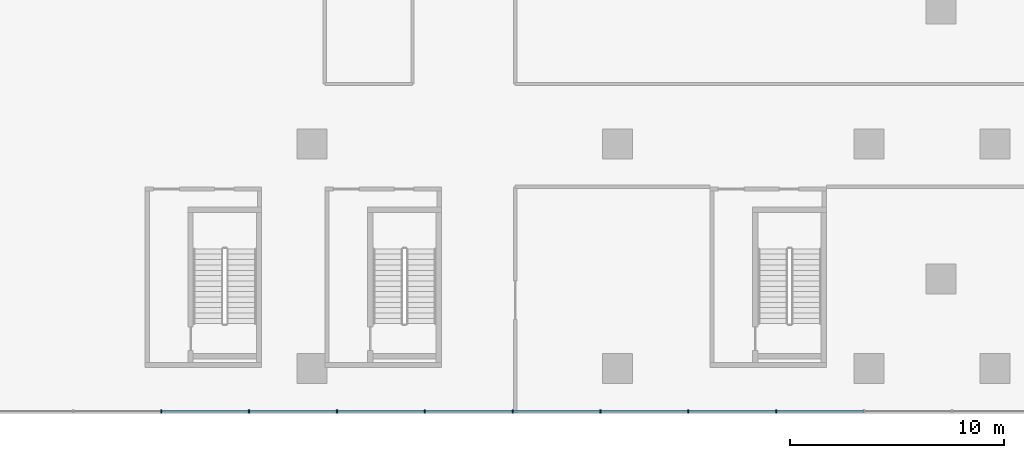
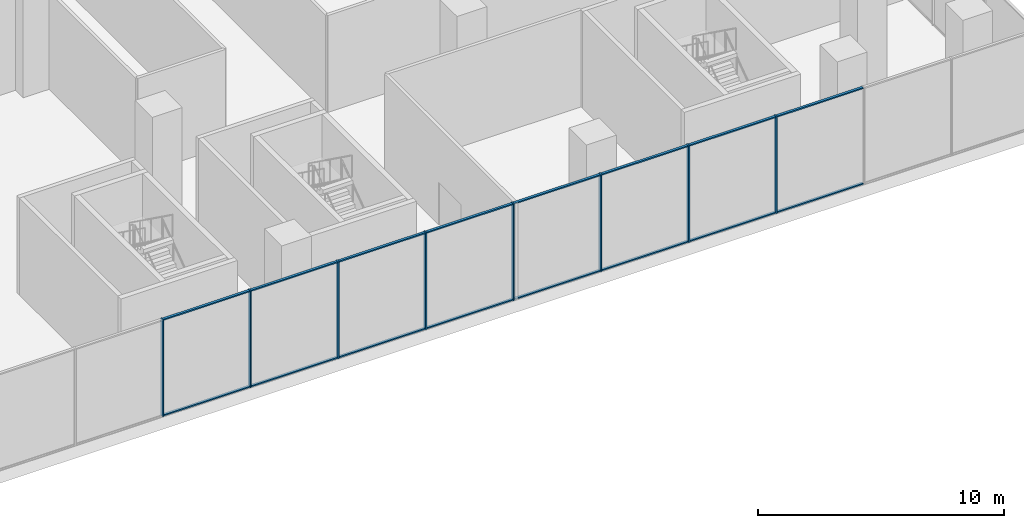
# One storey, part 5 of 23: 24 members, 1 element without a shape of its own.
"""IFC4 building model written with IfcOpenShell, lengths in metres."""

import ifcopenshell
import ifcopenshell.guid

model = None  # the IFC model being written
_history = None  # IfcOwnerHistory: only IFC2X3 demands one
_inside = {}  # id of a spatial element -> (the spatial element, [elements in it])
_under = {}  # id of a project, library or spatial element -> (it, [spatial elements below it])
_declared = {}  # id of a project -> (the project, [libraries it declares])
_typed = {}  # id of a type object -> (the type object, [elements of that type])
_made_of = {}  # id of a material, layer set ... -> (it, [elements and type objects made of it])


def new_model(schema):
    """Start an empty IFC model of exactly this schema.

    Asked for "IFC4X3", IfcOpenShell would pick the latest addendum, in which some entities
    have other attributes; the version numbers below select the first issue.
    IFC2X3 requires an IfcOwnerHistory on every rooted entity: one is made here for all.
    """
    global model, _history
    if schema == "IFC4X3":
        model = ifcopenshell.file(schema_version=(4, 3, 0, 0))
    else:
        model = ifcopenshell.file(schema=schema)
    _inside.clear()
    _under.clear()
    _declared.clear()
    _typed.clear()
    _made_of.clear()
    _history = None
    if model.schema == "IFC2X3":
        org = make("IfcOrganization", Name="unknown")
        user = make(
            "IfcPersonAndOrganization",
            ThePerson=make("IfcPerson", FamilyName="unknown"),
            TheOrganization=org,
        )
        app = make(
            "IfcApplication",
            ApplicationDeveloper=org,
            Version="unknown",
            ApplicationFullName="unknown",
            ApplicationIdentifier="unknown",
        )
        _history = make(
            "IfcOwnerHistory",
            OwningUser=user,
            OwningApplication=app,
            ChangeAction="ADDED",
            CreationDate=0,
        )
    return model


def make(cls, **values):
    """One entity of the class cls with the attributes given. An attribute that is None is left unset."""
    return model.create_entity(
        cls, **{name: value for name, value in values.items() if value is not None}
    )


def rooted(cls, **values):
    """An entity with a GlobalId (a new one), such as an element, a storey or a relation."""
    return make(cls, GlobalId=ifcopenshell.guid.new(), OwnerHistory=_history, **values)


def si_unit(unit_type, name, prefix=None):
    """IfcSIUnit, for example si_unit("LENGTHUNIT", "METRE", prefix="MILLI")."""
    return make("IfcSIUnit", UnitType=unit_type, Prefix=prefix, Name=name)


def assignment(units):
    """IfcUnitAssignment: the units of a project."""
    return None if units is None else make("IfcUnitAssignment", Units=units)


def point(xyz):
    """IfcCartesianPoint."""
    return None if xyz is None else make("IfcCartesianPoint", Coordinates=xyz)


def direction(xyz):
    """IfcDirection."""
    return None if xyz is None else make("IfcDirection", DirectionRatios=xyz)


def frame(location, z_axis=None, x_axis=None):
    """IfcAxis2Placement3D, a coordinate frame: its origin and axes. An axis left out is left unset."""
    return make(
        "IfcAxis2Placement3D",
        Location=point(location),
        Axis=direction(z_axis),
        RefDirection=direction(x_axis),
    )


def frame_2d(location, x_axis=None):
    """IfcAxis2Placement2D, a coordinate frame in the plane: its origin and x axis."""
    return make(
        "IfcAxis2Placement2D", Location=point(location), RefDirection=direction(x_axis)
    )


def origin():
    """The frame at (0, 0, 0) with its axes left unset."""
    return frame((0.0, 0.0, 0.0))


def origin_2d():
    """The frame at (0, 0) in the plane with its x axis left unset."""
    return frame_2d((0.0, 0.0))


def place(relative_to, where):
    """IfcLocalPlacement: puts the frame where relative to a parent placement (None: the world)."""
    return make(
        "IfcLocalPlacement", PlacementRelTo=relative_to, RelativePlacement=where
    )


def context(
    kind, dimensions, precision=None, world=None, true_north=None, identifier=None
):
    """IfcGeometricRepresentationContext, for example the 3D "Model" context."""
    return make(
        "IfcGeometricRepresentationContext",
        ContextIdentifier=identifier,
        ContextType=kind,
        CoordinateSpaceDimension=dimensions,
        Precision=precision,
        WorldCoordinateSystem=world,
        TrueNorth=true_north,
    )


def subcontext(parent, identifier, kind, view, scale=None):
    """IfcGeometricRepresentationSubContext, for example "Body" below "Model"."""
    return make(
        "IfcGeometricRepresentationSubContext",
        ContextIdentifier=identifier,
        ContextType=kind,
        ParentContext=parent,
        TargetScale=scale,
        TargetView=view,
    )


def project(units=None, contexts=None):
    """IfcProject with its units and contexts."""
    return rooted(
        "IfcProject",
        Name="project",
        RepresentationContexts=contexts,
        UnitsInContext=assignment(units),
    )


def spatial(cls, under=None, at=None, **own):
    """A site, building, storey or space (cls), placed at a placement, below another one or the project."""
    s = rooted(cls, ObjectPlacement=at, **own)
    if under is not None:
        _under.setdefault(under.id(), (under, []))[1].append(s)
    return s


def profile(cls, at=None, kind="AREA", **sizes):
    """A parametric profile (cls). Its sizes go by their IFC names, for example OverallWidth=200.0."""
    return make(cls, ProfileType=kind, Position=at, **sizes)


def rectangle(**sizes):
    """IfcRectangleProfileDef."""
    return profile("IfcRectangleProfileDef", **sizes)


def extrude(swept, where, along, depth):
    """IfcExtrudedAreaSolid: the profile swept, set in the frame where, extruded along a direction by depth."""
    return make(
        "IfcExtrudedAreaSolid",
        SweptArea=swept,
        Position=where,
        ExtrudedDirection=direction(along),
        Depth=depth,
    )


def shape(context_of_items, identifier, shape_type, items):
    """IfcShapeRepresentation: the items that make up one representation, for example the "Body"."""
    return make(
        "IfcShapeRepresentation",
        ContextOfItems=context_of_items,
        RepresentationIdentifier=identifier,
        RepresentationType=shape_type,
        Items=items,
    )


def source(mapping_origin, context_of_items, identifier, shape_type, items):
    """IfcRepresentationMap: a shape defined once, which mapped items show again and again."""
    return make(
        "IfcRepresentationMap",
        MappingOrigin=mapping_origin,
        MappedRepresentation=shape(context_of_items, identifier, shape_type, items),
    )


def transform(
    local_origin,
    x_axis=None,
    y_axis=None,
    z_axis=None,
    scale=None,
    scale2=None,
    scale3=None,
    uniform=True,
):
    """IfcCartesianTransformationOperator3D, or its non-uniform kind. x_axis, y_axis, z_axis: its Axis1, 2, 3."""
    if uniform:
        return make(
            "IfcCartesianTransformationOperator3D",
            Axis1=direction(x_axis),
            Axis2=direction(y_axis),
            LocalOrigin=point(local_origin),
            Scale=scale,
            Axis3=direction(z_axis),
        )
    return make(
        "IfcCartesianTransformationOperator3DnonUniform",
        Axis1=direction(x_axis),
        Axis2=direction(y_axis),
        LocalOrigin=point(local_origin),
        Scale=scale,
        Axis3=direction(z_axis),
        Scale2=scale2,
        Scale3=scale3,
    )


def mapped(mapping_source, mapping_target):
    """IfcMappedItem: shows the shape of a source again, moved by a transform."""
    return make(
        "IfcMappedItem", MappingSource=mapping_source, MappingTarget=mapping_target
    )


def material(Name=None, Category=None):
    """IfcMaterial."""
    return make("IfcMaterial", Name=Name, Category=Category)


def layer(
    of_material, thickness, ventilated=None, Name=None, Category=None, Priority=None
):
    """IfcMaterialLayer: one layer of a wall or slab, of a material (None: an air gap)."""
    return make(
        "IfcMaterialLayer",
        Material=of_material,
        LayerThickness=thickness,
        IsVentilated=ventilated,
        Name=Name,
        Category=Category,
        Priority=Priority,
    )


def layer_set(layers, Name=None):
    """IfcMaterialLayerSet."""
    return make("IfcMaterialLayerSet", MaterialLayers=layers, LayerSetName=Name)


def material_profile(
    of_material, cross_section, Name=None, Category=None, Priority=None
):
    """IfcMaterialProfile: a cross section and its material."""
    return make(
        "IfcMaterialProfile",
        Name=Name,
        Material=of_material,
        Profile=cross_section,
        Priority=Priority,
        Category=Category,
    )


def profile_set(profiles, Name=None, composite=None):
    """IfcMaterialProfileSet."""
    return make(
        "IfcMaterialProfileSet",
        Name=Name,
        MaterialProfiles=profiles,
        CompositeProfile=composite,
    )


def made_of(thing, what):
    """Note that an element or type object is made of a material, layer set ...; save() writes the relation."""
    if what is not None:
        _made_of.setdefault(what.id(), (what, []))[1].append(thing)
    return thing


def type_object(cls, material=None, **own):
    """A type object (cls), such as IfcWallType, which elements share."""
    return made_of(rooted(cls, **own), material)


def element(
    cls,
    number,
    at=None,
    inside=None,
    cuts=None,
    type_object=None,
    material=None,
    context=None,
    identifier="Body",
    shape_type=None,
    held_by="IfcProductDefinitionShape",
    body=None,
    shapes=None,
    **own,
):
    """One element of the class cls, such as IfcWall. Its Tag is "e" and its number.

    at: its placement. inside: the storey or other place that contains it. cuts: it is an
    opening in that element (IfcRelVoidsElement). A single representation is given by context,
    identifier, shape_type and body (its items); several are given by shapes. held_by: the class
    of the entity that holds the representations. save() writes the other relations.
    """
    e = rooted(cls, Tag="e%d" % number, ObjectPlacement=at, **own)
    if body is not None:
        shapes = [shape(context, identifier, shape_type, body)]
    if shapes is not None:
        e.Representation = make(held_by, Representations=shapes)
    if inside is not None:
        _inside.setdefault(inside.id(), (inside, []))[1].append(e)
    if cuts is not None:
        rooted(
            "IfcRelVoidsElement", RelatingBuildingElement=cuts, RelatedOpeningElement=e
        )
    if type_object is not None:
        _typed.setdefault(type_object.id(), (type_object, []))[1].append(e)
    return made_of(e, material)


def aggregate(whole, parts):
    """IfcRelAggregates: a whole, such as a stair, and the parts it consists of."""
    return rooted("IfcRelAggregates", RelatingObject=whole, RelatedObjects=parts)


def save(model, path):
    """Write the relations noted so far, then the file.

    IfcRelAggregates (storeys below a building ...), IfcRelContainedInSpatialStructure (elements
    in a storey), IfcRelDefinesByType, IfcRelAssociatesMaterial and IfcRelDeclares: one each for
    every whole, place, type object, material and project.
    """
    for whole, parts in _under.values():
        aggregate(whole, parts)
    for where, things in _inside.values():
        rooted(
            "IfcRelContainedInSpatialStructure",
            RelatedElements=things,
            RelatingStructure=where,
        )
    for kind, things in _typed.values():
        rooted("IfcRelDefinesByType", RelatedObjects=things, RelatingType=kind)
    for what, things in _made_of.values():
        rooted("IfcRelAssociatesMaterial", RelatedObjects=things, RelatingMaterial=what)
    for by, libraries in _declared.values():
        rooted("IfcRelDeclares", RelatingContext=by, RelatedDefinitions=libraries)
    model.write(path)


model = new_model("IFC4")

# Units and contexts
model_context = context("Model", 3, precision=1e-05, world=origin(), true_north=direction((0.0, 1.0)))
body_context = subcontext(model_context, "Body", "Model", "MODEL_VIEW")
ifc_project = project(units=[si_unit("LENGTHUNIT", "METRE"), si_unit("AREAUNIT", "SQUARE_METRE"), si_unit("VOLUMEUNIT", "CUBIC_METRE"), si_unit("PLANEANGLEUNIT", "RADIAN"), si_unit("MASSUNIT", "GRAM", prefix="KILO")], contexts=[model_context])

# Site, building, storey
site_placement = place(None, origin())
site = spatial("IfcSite", under=ifc_project, at=site_placement, CompositionType="ELEMENT")
building_placement = place(site_placement, origin())
building = spatial("IfcBuilding", under=site, at=building_placement, Name="Aurelian Terraces", CompositionType="ELEMENT")
storey_placement = place(building_placement, frame((0.0, 0.0, 23.7)))
storey = spatial("IfcBuildingStorey", under=building, at=storey_placement, Name="L04", CompositionType="ELEMENT", Elevation=23.7)

# Curtain wall, members
ifc_material_1 = material(Name="Anodised aluminium and clear glazing", Category="aluminium")
ifc_layer = layer(ifc_material_1, 0.2)
ifc_layer_set = layer_set([ifc_layer], Name="Winter garden glazing curtain wall")
curtain_wall_type = type_object("IfcCurtainWallType", Name="Winter garden glazing curtain wall", PredefinedType="NOTDEFINED", material=ifc_layer_set)
curtain_wall_placement = place(storey_placement, origin())
curtain_wall = element("IfcCurtainWall", 1, at=curtain_wall_placement, inside=storey, type_object=curtain_wall_type, Name="Winter garden glazing L04 F01.1", PredefinedType="NOTDEFINED")
ifc_material_2 = material(Name="Anodised aluminium", Category="aluminium")
ifc_material_profile_1 = material_profile(ifc_material_2, rectangle(XDim=0.18, YDim=0.06, at=origin_2d()))
ifc_profile_set_1 = profile_set([ifc_material_profile_1], Name="Anodised aluminium")
member_type_1 = type_object("IfcMemberType", Name="Winter garden glazing mullion", PredefinedType="MULLION", material=ifc_profile_set_1)
shared_shape_1 = source(origin(), body_context, "Body", "SweptSolid", [
    extrude(rectangle(XDim=0.18, YDim=0.06, at=origin_2d()), origin(), (0.0, 0.0, 1.0), 4.8),
])
member_1_placement = place(storey_placement, frame((30.7533, -2.0, 0.0), z_axis=(0.0, 0.0, 1.0), x_axis=(0.0, 1.0, 0.0)))
member_1 = element("IfcMember", 2, at=member_1_placement, type_object=member_type_1, Name="CW6 mullion 9", PredefinedType="MULLION", context=body_context, shape_type="MappedRepresentation", body=[
    mapped(shared_shape_1, transform((0.0, 0.0, 0.0), scale=1.0)),
])
member_2_placement = place(storey_placement, frame((34.86, -2.0, 0.0), z_axis=(0.0, 0.0, 1.0), x_axis=(0.0, 1.0, 0.0)))
member_2 = element("IfcMember", 3, at=member_2_placement, type_object=member_type_1, Name="CW6 mullion 10", PredefinedType="MULLION", context=body_context, shape_type="MappedRepresentation", body=[
    mapped(shared_shape_1, transform((0.0, 0.0, 0.0), scale=1.0)),
])
member_3_placement = place(storey_placement, frame((38.9667, -2.0, 0.0), z_axis=(0.0, 0.0, 1.0), x_axis=(0.0, 1.0, 0.0)))
member_3 = element("IfcMember", 4, at=member_3_placement, type_object=member_type_1, Name="CW6 mullion 11", PredefinedType="MULLION", context=body_context, shape_type="MappedRepresentation", body=[
    mapped(shared_shape_1, transform((0.0, 0.0, 0.0), scale=1.0)),
])
member_4_placement = place(storey_placement, frame((43.0733, -2.0, 0.0), z_axis=(0.0, 0.0, 1.0), x_axis=(0.0, 1.0, 0.0)))
member_4 = element("IfcMember", 5, at=member_4_placement, type_object=member_type_1, Name="CW6 mullion 12", PredefinedType="MULLION", context=body_context, shape_type="MappedRepresentation", body=[
    mapped(shared_shape_1, transform((0.0, 0.0, 0.0), scale=1.0)),
])
member_5_placement = place(storey_placement, frame((47.18, -2.0, 0.0), z_axis=(0.0, 0.0, 1.0), x_axis=(0.0, 1.0, 0.0)))
member_5 = element("IfcMember", 6, at=member_5_placement, type_object=member_type_1, Name="CW6 mullion 13", PredefinedType="MULLION", context=body_context, shape_type="MappedRepresentation", body=[
    mapped(shared_shape_1, transform((0.0, 0.0, 0.0), scale=1.0)),
])
member_6_placement = place(storey_placement, frame((51.2867, -2.0, 0.0), z_axis=(0.0, 0.0, 1.0), x_axis=(0.0, 1.0, 0.0)))
member_6 = element("IfcMember", 7, at=member_6_placement, type_object=member_type_1, Name="CW6 mullion 14", PredefinedType="MULLION", context=body_context, shape_type="MappedRepresentation", body=[
    mapped(shared_shape_1, transform((0.0, 0.0, 0.0), scale=1.0)),
])
member_7_placement = place(storey_placement, frame((55.3933, -2.0, 0.0), z_axis=(0.0, 0.0, 1.0), x_axis=(0.0, 1.0, 0.0)))
member_7 = element("IfcMember", 8, at=member_7_placement, type_object=member_type_1, Name="CW6 mullion 15", PredefinedType="MULLION", context=body_context, shape_type="MappedRepresentation", body=[
    mapped(shared_shape_1, transform((0.0, 0.0, 0.0), scale=1.0)),
])
member_8_placement = place(storey_placement, frame((59.5, -2.0, 0.0), z_axis=(0.0, 0.0, 1.0), x_axis=(0.0, 1.0, 0.0)))
member_8 = element("IfcMember", 9, at=member_8_placement, type_object=member_type_1, Name="CW6 mullion 16", PredefinedType="MULLION", context=body_context, shape_type="MappedRepresentation", body=[
    mapped(shared_shape_1, transform((0.0, 0.0, 0.0), scale=1.0)),
])
ifc_material_profile_2 = material_profile(ifc_material_2, rectangle(XDim=0.12, YDim=0.06, at=origin_2d()))
ifc_profile_set_2 = profile_set([ifc_material_profile_2], Name="Anodised aluminium")
member_type_2 = type_object("IfcMemberType", Name="Winter garden glazing transom", PredefinedType="USERDEFINED", material=ifc_profile_set_2)
shared_shape_2 = source(origin(), body_context, "Body", "SweptSolid", [
    extrude(rectangle(XDim=0.12, YDim=0.06, at=origin_2d()), origin(), (0.0, 0.0, 1.0), 4.0466),
])
member_9_placement = place(storey_placement, frame((38.9967, -2.0, 0.03), z_axis=(1.0, 0.0, 0.0), x_axis=(0.0, 1.0, 0.0)))
member_9 = element("IfcMember", 10, at=member_9_placement, type_object=member_type_2, Name="CW6 transom 11.1", ObjectType="TRANSOM", PredefinedType="USERDEFINED", context=body_context, shape_type="MappedRepresentation", body=[
    mapped(shared_shape_2, transform((0.0, 0.0, 0.0), scale=1.0)),
])
member_10_placement = place(storey_placement, frame((38.9967, -2.0, 4.77), z_axis=(1.0, 0.0, 0.0), x_axis=(0.0, 1.0, 0.0)))
member_10 = element("IfcMember", 11, at=member_10_placement, type_object=member_type_2, Name="CW6 transom 11.2", ObjectType="TRANSOM", PredefinedType="USERDEFINED", context=body_context, shape_type="MappedRepresentation", body=[
    mapped(shared_shape_2, transform((0.0, 0.0, 0.0), scale=1.0)),
])
member_11_placement = place(storey_placement, frame((51.3167, -2.0, 0.03), z_axis=(1.0, 0.0, 0.0), x_axis=(0.0, 1.0, 0.0)))
member_11 = element("IfcMember", 12, at=member_11_placement, type_object=member_type_2, Name="CW6 transom 14.1", ObjectType="TRANSOM", PredefinedType="USERDEFINED", context=body_context, shape_type="MappedRepresentation", body=[
    mapped(shared_shape_2, transform((0.0, 0.0, 0.0), scale=1.0)),
])
member_12_placement = place(storey_placement, frame((51.3167, -2.0, 4.77), z_axis=(1.0, 0.0, 0.0), x_axis=(0.0, 1.0, 0.0)))
member_12 = element("IfcMember", 13, at=member_12_placement, type_object=member_type_2, Name="CW6 transom 14.2", ObjectType="TRANSOM", PredefinedType="USERDEFINED", context=body_context, shape_type="MappedRepresentation", body=[
    mapped(shared_shape_2, transform((0.0, 0.0, 0.0), scale=1.0)),
])
shared_shape_3 = source(origin(), body_context, "Body", "SweptSolid", [
    extrude(rectangle(XDim=0.12, YDim=0.06, at=origin_2d()), origin(), (0.0, 0.0, 1.0), 4.0467),
])
member_13_placement = place(storey_placement, frame((30.7833, -2.0, 0.03), z_axis=(1.0, 0.0, 0.0), x_axis=(0.0, 1.0, 0.0)))
member_13 = element("IfcMember", 14, at=member_13_placement, type_object=member_type_2, Name="CW6 transom 9.1", ObjectType="TRANSOM", PredefinedType="USERDEFINED", context=body_context, shape_type="MappedRepresentation", body=[
    mapped(shared_shape_3, transform((0.0, 0.0, 0.0), scale=1.0)),
])
member_14_placement = place(storey_placement, frame((30.7833, -2.0, 4.77), z_axis=(1.0, 0.0, 0.0), x_axis=(0.0, 1.0, 0.0)))
member_14 = element("IfcMember", 15, at=member_14_placement, type_object=member_type_2, Name="CW6 transom 9.2", ObjectType="TRANSOM", PredefinedType="USERDEFINED", context=body_context, shape_type="MappedRepresentation", body=[
    mapped(shared_shape_3, transform((0.0, 0.0, 0.0), scale=1.0)),
])
member_15_placement = place(storey_placement, frame((34.89, -2.0, 0.03), z_axis=(1.0, 0.0, 0.0), x_axis=(0.0, 1.0, 0.0)))
member_15 = element("IfcMember", 16, at=member_15_placement, type_object=member_type_2, Name="CW6 transom 10.1", ObjectType="TRANSOM", PredefinedType="USERDEFINED", context=body_context, shape_type="MappedRepresentation", body=[
    mapped(shared_shape_3, transform((0.0, 0.0, 0.0), scale=1.0)),
])
member_16_placement = place(storey_placement, frame((34.89, -2.0, 4.77), z_axis=(1.0, 0.0, 0.0), x_axis=(0.0, 1.0, 0.0)))
member_16 = element("IfcMember", 17, at=member_16_placement, type_object=member_type_2, Name="CW6 transom 10.2", ObjectType="TRANSOM", PredefinedType="USERDEFINED", context=body_context, shape_type="MappedRepresentation", body=[
    mapped(shared_shape_3, transform((0.0, 0.0, 0.0), scale=1.0)),
])
member_17_placement = place(storey_placement, frame((43.1033, -2.0, 0.03), z_axis=(1.0, 0.0, 0.0), x_axis=(0.0, 1.0, 0.0)))
member_17 = element("IfcMember", 18, at=member_17_placement, type_object=member_type_2, Name="CW6 transom 12.1", ObjectType="TRANSOM", PredefinedType="USERDEFINED", context=body_context, shape_type="MappedRepresentation", body=[
    mapped(shared_shape_3, transform((0.0, 0.0, 0.0), scale=1.0)),
])
member_18_placement = place(storey_placement, frame((43.1033, -2.0, 4.77), z_axis=(1.0, 0.0, 0.0), x_axis=(0.0, 1.0, 0.0)))
member_18 = element("IfcMember", 19, at=member_18_placement, type_object=member_type_2, Name="CW6 transom 12.2", ObjectType="TRANSOM", PredefinedType="USERDEFINED", context=body_context, shape_type="MappedRepresentation", body=[
    mapped(shared_shape_3, transform((0.0, 0.0, 0.0), scale=1.0)),
])
member_19_placement = place(storey_placement, frame((47.21, -2.0, 0.03), z_axis=(1.0, 0.0, 0.0), x_axis=(0.0, 1.0, 0.0)))
member_19 = element("IfcMember", 20, at=member_19_placement, type_object=member_type_2, Name="CW6 transom 13.1", ObjectType="TRANSOM", PredefinedType="USERDEFINED", context=body_context, shape_type="MappedRepresentation", body=[
    mapped(shared_shape_3, transform((0.0, 0.0, 0.0), scale=1.0)),
])
member_20_placement = place(storey_placement, frame((47.21, -2.0, 4.77), z_axis=(1.0, 0.0, 0.0), x_axis=(0.0, 1.0, 0.0)))
member_20 = element("IfcMember", 21, at=member_20_placement, type_object=member_type_2, Name="CW6 transom 13.2", ObjectType="TRANSOM", PredefinedType="USERDEFINED", context=body_context, shape_type="MappedRepresentation", body=[
    mapped(shared_shape_3, transform((0.0, 0.0, 0.0), scale=1.0)),
])
member_21_placement = place(storey_placement, frame((55.4233, -2.0, 0.03), z_axis=(1.0, 0.0, 0.0), x_axis=(0.0, 1.0, 0.0)))
member_21 = element("IfcMember", 22, at=member_21_placement, type_object=member_type_2, Name="CW6 transom 15.1", ObjectType="TRANSOM", PredefinedType="USERDEFINED", context=body_context, shape_type="MappedRepresentation", body=[
    mapped(shared_shape_3, transform((0.0, 0.0, 0.0), scale=1.0)),
])
member_22_placement = place(storey_placement, frame((55.4233, -2.0, 4.77), z_axis=(1.0, 0.0, 0.0), x_axis=(0.0, 1.0, 0.0)))
member_22 = element("IfcMember", 23, at=member_22_placement, type_object=member_type_2, Name="CW6 transom 15.2", ObjectType="TRANSOM", PredefinedType="USERDEFINED", context=body_context, shape_type="MappedRepresentation", body=[
    mapped(shared_shape_3, transform((0.0, 0.0, 0.0), scale=1.0)),
])
member_23_placement = place(storey_placement, frame((59.53, -2.0, 0.03), z_axis=(1.0, 0.0, 0.0), x_axis=(0.0, 1.0, 0.0)))
member_23 = element("IfcMember", 24, at=member_23_placement, type_object=member_type_2, Name="CW6 transom 16.1", ObjectType="TRANSOM", PredefinedType="USERDEFINED", context=body_context, shape_type="MappedRepresentation", body=[
    mapped(shared_shape_3, transform((0.0, 0.0, 0.0), scale=1.0)),
])
member_24_placement = place(storey_placement, frame((59.53, -2.0, 4.77), z_axis=(1.0, 0.0, 0.0), x_axis=(0.0, 1.0, 0.0)))
member_24 = element("IfcMember", 25, at=member_24_placement, type_object=member_type_2, Name="CW6 transom 16.2", ObjectType="TRANSOM", PredefinedType="USERDEFINED", context=body_context, shape_type="MappedRepresentation", body=[
    mapped(shared_shape_3, transform((0.0, 0.0, 0.0), scale=1.0)),
])
aggregate(curtain_wall, [member_1, member_2, member_3, member_4, member_5, member_6, member_7, member_8, member_13, member_14, member_15, member_16, member_9, member_10, member_17, member_18, member_19, member_20, member_11, member_12, member_21, member_22, member_23, member_24])

save(model, "model.ifc")
